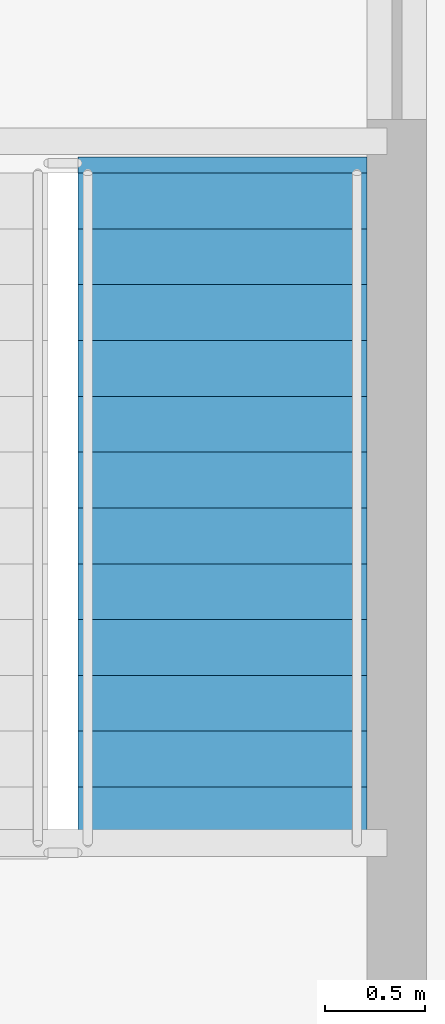
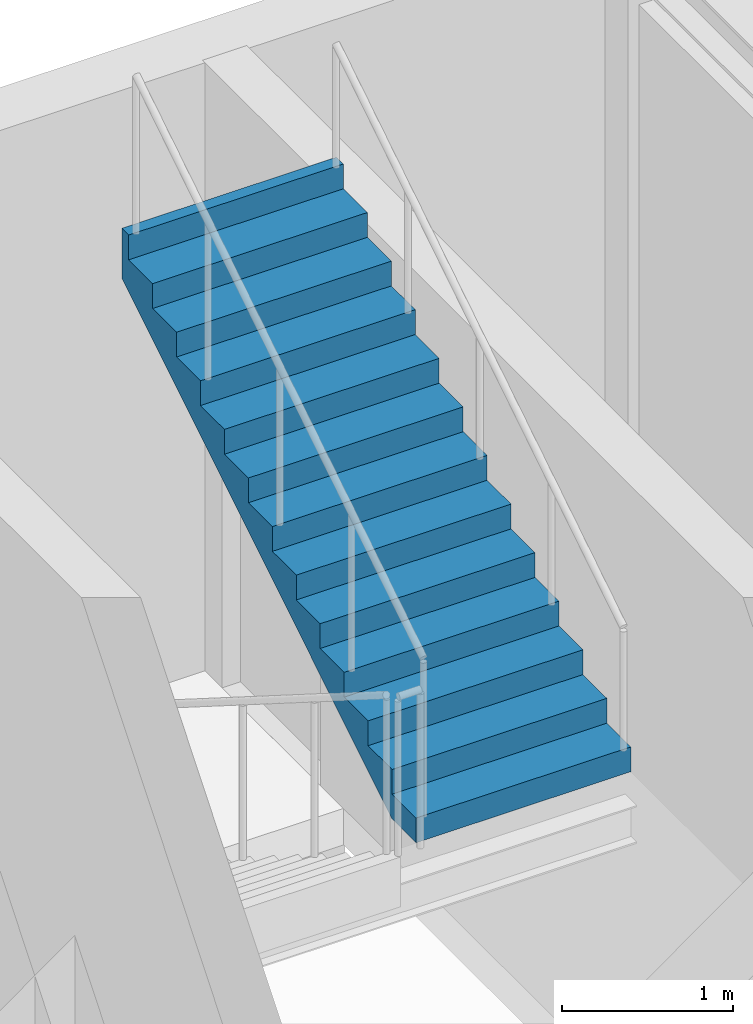
# One storey, part 19 of 23: 1 stair flight, 1 element without a shape of its own.
"""IFC4 building model written with IfcOpenShell, lengths in metres."""

from ifc_helpers import new_model, si_unit, direction, frame, origin, place, context, subcontext, project, spatial, polyline, outline, extrude, material, type_object, element, aggregate, save


model = new_model("IFC4")

# Units and contexts
model_context = context("Model", 3, precision=1e-05, world=origin(), true_north=direction((0.0, 1.0)))
body_context = subcontext(model_context, "Body", "Model", "MODEL_VIEW")
ifc_project = project(units=[si_unit("LENGTHUNIT", "METRE"), si_unit("AREAUNIT", "SQUARE_METRE"), si_unit("VOLUMEUNIT", "CUBIC_METRE"), si_unit("PLANEANGLEUNIT", "RADIAN"), si_unit("MASSUNIT", "GRAM", prefix="KILO")], contexts=[model_context])

# Site, building, storey
site_placement = place(None, origin())
site = spatial("IfcSite", under=ifc_project, at=site_placement, CompositionType="ELEMENT")
building_placement = place(site_placement, origin())
building = spatial("IfcBuilding", under=site, at=building_placement, Name="Kranzbogen Civic Tower", CompositionType="ELEMENT")
storey_placement = place(building_placement, frame((0.0, 0.0, 9.800048828125)))
storey = spatial("IfcBuildingStorey", under=building, at=storey_placement, Name="L02", CompositionType="ELEMENT", Elevation=9.800048828125)

# Stair, stair flight
ifc_material = material(Name="Precast concrete C40/50", Category="concrete")
stair_type = type_object("IfcStairType", Name="Health Centre Escape Dogleg Stair 1450", PredefinedType="HALF_TURN_STAIR", material=ifc_material)
stair_placement = place(storey_placement, origin())
stair = element("IfcStair", 1, at=stair_placement, inside=storey, type_object=stair_type, Name="L02 Health Centre Escape Stair 2", PredefinedType="HALF_TURN_STAIR")
stair_flight_type = type_object("IfcStairFlightType", Name="Precast Concrete Stair Flight R177", PredefinedType="STRAIGHT", material=ifc_material)
stair_flight_placement = place(storey_placement, frame((55.875, 37.639892578125, 2.300048828125), z_axis=(0.0, 0.0, 1.0), x_axis=(0.0, 1.0, 0.0)))
stair_flight = element("IfcStairFlight", 2, at=stair_flight_placement, type_object=stair_flight_type, Name="ST-H2 flight 2", NumberOfRisers=13, NumberOfTreads=12, PredefinedType="STRAIGHT", RiserHeight=0.176923077, TreadLength=0.28, context=body_context, shape_type="SweptSolid", body=[
    extrude(outline(polyline([(0.0, 0.0), (0.0, 0.177001953125), (0.280029296875, 0.177001953125), (0.280029296875, 0.353759765625), (0.56005859375, 0.353759765625), (0.56005859375, 0.53076171875), (0.840087890625, 0.53076171875), (0.840087890625, 0.707763671875), (1.1201171875, 0.707763671875), (1.1201171875, 0.884521484375), (1.39990234375, 0.884521484375), (1.39990234375, 1.0615234375), (1.679931640625, 1.0615234375), (1.679931640625, 1.238525390625), (1.9599609375, 1.238525390625), (1.9599609375, 1.415283203125), (2.239990234375, 1.415283203125), (2.239990234375, 1.59228515625), (2.52001953125, 1.59228515625), (2.52001953125, 1.769287109375), (2.800048828125, 1.769287109375), (2.800048828125, 1.946044921875), (3.080078125, 1.946044921875), (3.080078125, 2.123046875), (3.360107421875, 2.123046875), (3.360107421875, 2.300048828125), (3.440185546875, 2.300048828125), (3.440185546875, 1.94580078125), (0.280517578125, 0.0), (0.0, 0.0)])), frame((0.0, 0.72509765625, 0.0), z_axis=(0.0, -1.0, 0.0), x_axis=(1.0, 0.0, 0.0)), (0.0, 0.0, 1.0), 1.449951171875),
])
aggregate(stair, [stair_flight])

save(model, "model.ifc")
